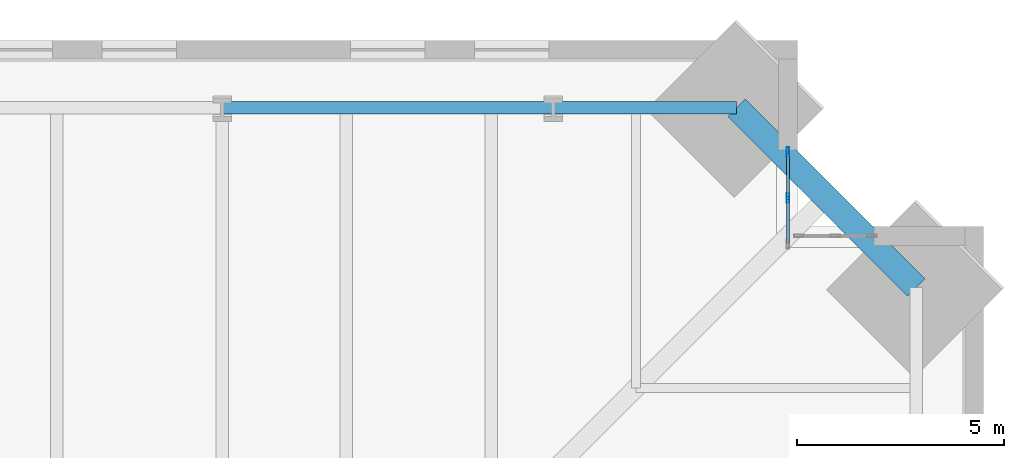
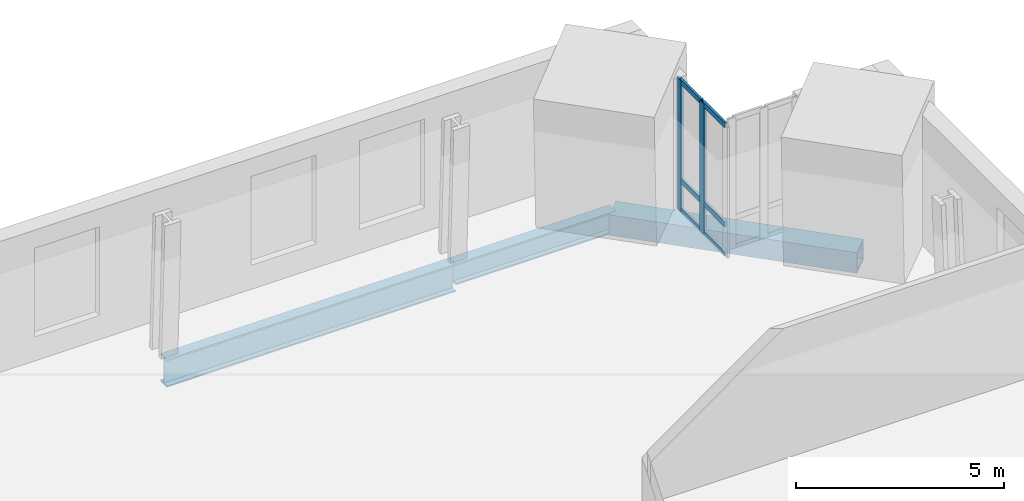
# One storey, part 11 of 18: 8 members, 3 beams, 1 element without a shape of its own.
"""IFC4 building model written with IfcOpenShell, lengths in metres."""

from ifc_helpers import new_model, si_unit, direction, frame, origin, origin_2d, place, context, subcontext, project, spatial, hollow_rectangle, i_section, extrude, material, material_profile, profile_set, type_object, element, aggregate, save


model = new_model("IFC4")

# Units and contexts
model_context = context("Model", 3, precision=1e-05, world=origin(), true_north=direction((0.0, 1.0)))
body_context = subcontext(model_context, "Body", "Model", "MODEL_VIEW")
ifc_project = project(units=[si_unit("LENGTHUNIT", "METRE"), si_unit("AREAUNIT", "SQUARE_METRE"), si_unit("VOLUMEUNIT", "CUBIC_METRE"), si_unit("PLANEANGLEUNIT", "RADIAN"), si_unit("MASSUNIT", "GRAM", prefix="KILO")], contexts=[model_context])

# Site, building, storey
site_placement = place(None, origin())
site = spatial("IfcSite", under=ifc_project, at=site_placement, CompositionType="ELEMENT")
building_placement = place(site_placement, origin())
building = spatial("IfcBuilding", under=site, at=building_placement, Name="Peilmerk Tower", CompositionType="ELEMENT")
storey_placement = place(building_placement, frame((0.0, 0.0, 151.800048828125)))
storey = spatial("IfcBuildingStorey", under=building, at=storey_placement, Name="L31", CompositionType="ELEMENT", Elevation=151.800048828125)

# Beams
ifc_material_1 = material(Name="Steel S355", Category="steel")
ifc_material_profile_1 = material_profile(ifc_material_1, i_section(OverallWidth=0.302978515625, OverallDepth=0.81396484375, WebThickness=0.02099609375, FlangeThickness=0.0400390625, at=origin_2d()), Name="HEM 800")
ifc_profile_set_1 = profile_set([ifc_material_profile_1], Name="Steel S355")
beam_type_1 = type_object("IfcBeamType", Name="B15 HEM 800 edge beam", PredefinedType="SPANDREL", material=ifc_profile_set_1)
beam_1_placement = place(storey_placement, frame((16.0, 24.77587890625, -0.5771484375), z_axis=(-1.0, 0.0, 0.0), x_axis=(0.0, -1.0, 0.0)))
element("IfcBeam", 1, at=beam_1_placement, inside=storey, type_object=beam_type_1, Name="Edge beam L31", PredefinedType="SPANDREL", context=body_context, shape_type="SweptSolid", body=[
    extrude(i_section(OverallWidth=0.302978515625, OverallDepth=0.81396484375, WebThickness=0.02099609375, FlangeThickness=0.0400390625, at=origin_2d()), origin(), (0.0, 0.0, 1.0), 8.0),
])
ifc_material_2 = material(Name="Steel S460", Category="steel")
ifc_material_profile_2 = material_profile(ifc_material_2, hollow_rectangle(XDim=0.60009765625, YDim=0.60009765625, WallThickness=0.06005859375, at=origin_2d()), Name="BOX 600x600x60")
ifc_profile_set_2 = profile_set([ifc_material_profile_2], Name="Steel S460")
beam_type_2 = type_object("IfcBeamType", Name="B20 BOX 600x600x60 notch beam", PredefinedType="SPANDREL", material=ifc_profile_set_2)
beam_2_placement = place(storey_placement, frame((20.42578125, 24.77587890625, -0.469970703125), z_axis=(0.707106781187, -0.707106781187, 0.0), x_axis=(0.707106781187, 0.707106781187, 0.0)))
element("IfcBeam", 2, at=beam_2_placement, inside=storey, type_object=beam_type_2, Name="Notch beam L31", PredefinedType="SPANDREL", context=body_context, shape_type="SweptSolid", body=[
    extrude(hollow_rectangle(XDim=0.60009765625, YDim=0.60009765625, WallThickness=0.06005859375, at=origin_2d()), origin(), (0.0, 0.0, 1.0), 6.15185546875),
])
ifc_material_profile_3 = material_profile(ifc_material_1, i_section(OverallWidth=0.304931640625, OverallDepth=0.6201171875, WebThickness=0.02099609375, FlangeThickness=0.0400390625, at=origin_2d()), Name="HEM 600")
ifc_profile_set_3 = profile_set([ifc_material_profile_3], Name="Steel S355")
beam_type_3 = type_object("IfcBeamType", Name="B31 HEM 600 edge beam", PredefinedType="SPANDREL", material=ifc_profile_set_3)
beam_3_placement = place(storey_placement, frame((20.42578125, 24.77587890625, -0.47998046875), z_axis=(-1.0, 0.0, 0.0), x_axis=(0.0, -1.0, 0.0)))
element("IfcBeam", 3, at=beam_3_placement, inside=storey, type_object=beam_type_3, Name="Edge beam L31", PredefinedType="SPANDREL", context=body_context, shape_type="SweptSolid", body=[
    extrude(i_section(OverallWidth=0.304931640625, OverallDepth=0.6201171875, WebThickness=0.02099609375, FlangeThickness=0.0400390625, at=origin_2d()), origin(), (0.0, 0.0, 1.0), 4.42578125),
])

# Curtain wall, members
ifc_material_3 = material(Name="Aluminium stick curtain wall", Category="aluminium")
curtain_wall_type = type_object("IfcCurtainWallType", Name="CW3 stick curtain wall, 2250 module", PredefinedType="NOTDEFINED", material=ifc_material_3)
curtain_wall_placement = place(storey_placement, origin())
curtain_wall = element("IfcCurtainWall", 4, at=curtain_wall_placement, inside=storey, type_object=curtain_wall_type, Name="Curtain wall CW3 NEA L31", PredefinedType="NOTDEFINED")
ifc_material_4 = material(Name="Aluminium EN AW-6063 T6", Category="aluminium")
ifc_material_profile_4 = material_profile(ifc_material_4, hollow_rectangle(XDim=0.06494140625, YDim=0.22509765625, WallThickness=0.00390625, at=origin_2d()), Name="AL 225x65x4")
ifc_profile_set_4 = profile_set([ifc_material_profile_4], Name="Aluminium EN AW-6063 T6")
member_type_1 = type_object("IfcMemberType", Name="CW3-M AL 225x65x4 mullion", PredefinedType="MULLION", material=ifc_profile_set_4)
member_1_placement = place(storey_placement, frame((21.675048828125, 22.59423828125, 0.0), z_axis=(0.0, 0.0, 1.0), x_axis=(-1.0, 0.0, 0.0)))
member_1 = element("IfcMember", 5, at=member_1_placement, type_object=member_type_1, Name="CW3 mullion 2", PredefinedType="MULLION", context=body_context, shape_type="SweptSolid", body=[
    extrude(hollow_rectangle(XDim=0.06494140625, YDim=0.22509765625, WallThickness=0.00390625, at=origin_2d()), origin(), (0.0, 0.0, 1.0), 3.829833984375),
])
member_2_placement = place(storey_placement, frame((21.675048828125, 23.706298828125, 0.0), z_axis=(0.0, 0.0, 1.0), x_axis=(-1.0, 0.0, 0.0)))
member_2 = element("IfcMember", 6, at=member_2_placement, type_object=member_type_1, Name="CW3 mullion 3", PredefinedType="MULLION", context=body_context, shape_type="SweptSolid", body=[
    extrude(hollow_rectangle(XDim=0.06494140625, YDim=0.22509765625, WallThickness=0.00390625, at=origin_2d()), origin(), (0.0, 0.0, 1.0), 3.829833984375),
])
ifc_material_profile_5 = material_profile(ifc_material_4, hollow_rectangle(XDim=0.06494140625, YDim=0.14990234375, WallThickness=0.0029296875, at=origin_2d()), Name="AL 150x65x3")
ifc_profile_set_5 = profile_set([ifc_material_profile_5], Name="Aluminium EN AW-6063 T6")
member_type_2 = type_object("IfcMemberType", Name="CW3-T AL 150x65x3 transom", PredefinedType="USERDEFINED", material=ifc_profile_set_5)
member_3_placement = place(storey_placement, frame((21.675048828125, 21.514892578125, 0.032470703125), z_axis=(0.0, 1.0, 0.0), x_axis=(-1.0, 0.0, 0.0)))
member_3 = element("IfcMember", 7, at=member_3_placement, type_object=member_type_2, Name="CW3 transom 1.1", ObjectType="TRANSOM", PredefinedType="USERDEFINED", context=body_context, shape_type="SweptSolid", body=[
    extrude(hollow_rectangle(XDim=0.06494140625, YDim=0.14990234375, WallThickness=0.0029296875, at=origin_2d()), origin(), (0.0, 0.0, 1.0), 1.046875),
])
member_4_placement = place(storey_placement, frame((21.675048828125, 21.514892578125, 0.89990234375), z_axis=(0.0, 1.0, 0.0), x_axis=(-1.0, 0.0, 0.0)))
member_4 = element("IfcMember", 8, at=member_4_placement, type_object=member_type_2, Name="CW3 transom 1.2", ObjectType="TRANSOM", PredefinedType="USERDEFINED", context=body_context, shape_type="SweptSolid", body=[
    extrude(hollow_rectangle(XDim=0.06494140625, YDim=0.14990234375, WallThickness=0.0029296875, at=origin_2d()), origin(), (0.0, 0.0, 1.0), 1.046875),
])
member_5_placement = place(storey_placement, frame((21.675048828125, 21.514892578125, 3.79736328125), z_axis=(0.0, 1.0, 0.0), x_axis=(-1.0, 0.0, 0.0)))
member_5 = element("IfcMember", 9, at=member_5_placement, type_object=member_type_2, Name="CW3 transom 1.3", ObjectType="TRANSOM", PredefinedType="USERDEFINED", context=body_context, shape_type="SweptSolid", body=[
    extrude(hollow_rectangle(XDim=0.06494140625, YDim=0.14990234375, WallThickness=0.0029296875, at=origin_2d()), origin(), (0.0, 0.0, 1.0), 1.046875),
])
member_6_placement = place(storey_placement, frame((21.675048828125, 22.626953125, 0.032470703125), z_axis=(0.0, 1.0, 0.0), x_axis=(-1.0, 0.0, 0.0)))
member_6 = element("IfcMember", 10, at=member_6_placement, type_object=member_type_2, Name="CW3 transom 2.1", ObjectType="TRANSOM", PredefinedType="USERDEFINED", context=body_context, shape_type="SweptSolid", body=[
    extrude(hollow_rectangle(XDim=0.06494140625, YDim=0.14990234375, WallThickness=0.0029296875, at=origin_2d()), origin(), (0.0, 0.0, 1.0), 1.046630859375),
])
member_7_placement = place(storey_placement, frame((21.675048828125, 22.626953125, 0.89990234375), z_axis=(0.0, 1.0, 0.0), x_axis=(-1.0, 0.0, 0.0)))
member_7 = element("IfcMember", 11, at=member_7_placement, type_object=member_type_2, Name="CW3 transom 2.2", ObjectType="TRANSOM", PredefinedType="USERDEFINED", context=body_context, shape_type="SweptSolid", body=[
    extrude(hollow_rectangle(XDim=0.06494140625, YDim=0.14990234375, WallThickness=0.0029296875, at=origin_2d()), origin(), (0.0, 0.0, 1.0), 1.046630859375),
])
member_8_placement = place(storey_placement, frame((21.675048828125, 22.626953125, 3.79736328125), z_axis=(0.0, 1.0, 0.0), x_axis=(-1.0, 0.0, 0.0)))
member_8 = element("IfcMember", 12, at=member_8_placement, type_object=member_type_2, Name="CW3 transom 2.3", ObjectType="TRANSOM", PredefinedType="USERDEFINED", context=body_context, shape_type="SweptSolid", body=[
    extrude(hollow_rectangle(XDim=0.06494140625, YDim=0.14990234375, WallThickness=0.0029296875, at=origin_2d()), origin(), (0.0, 0.0, 1.0), 1.046630859375),
])
aggregate(curtain_wall, [member_1, member_2, member_3, member_4, member_5, member_6, member_7, member_8])

save(model, "model.ifc")
